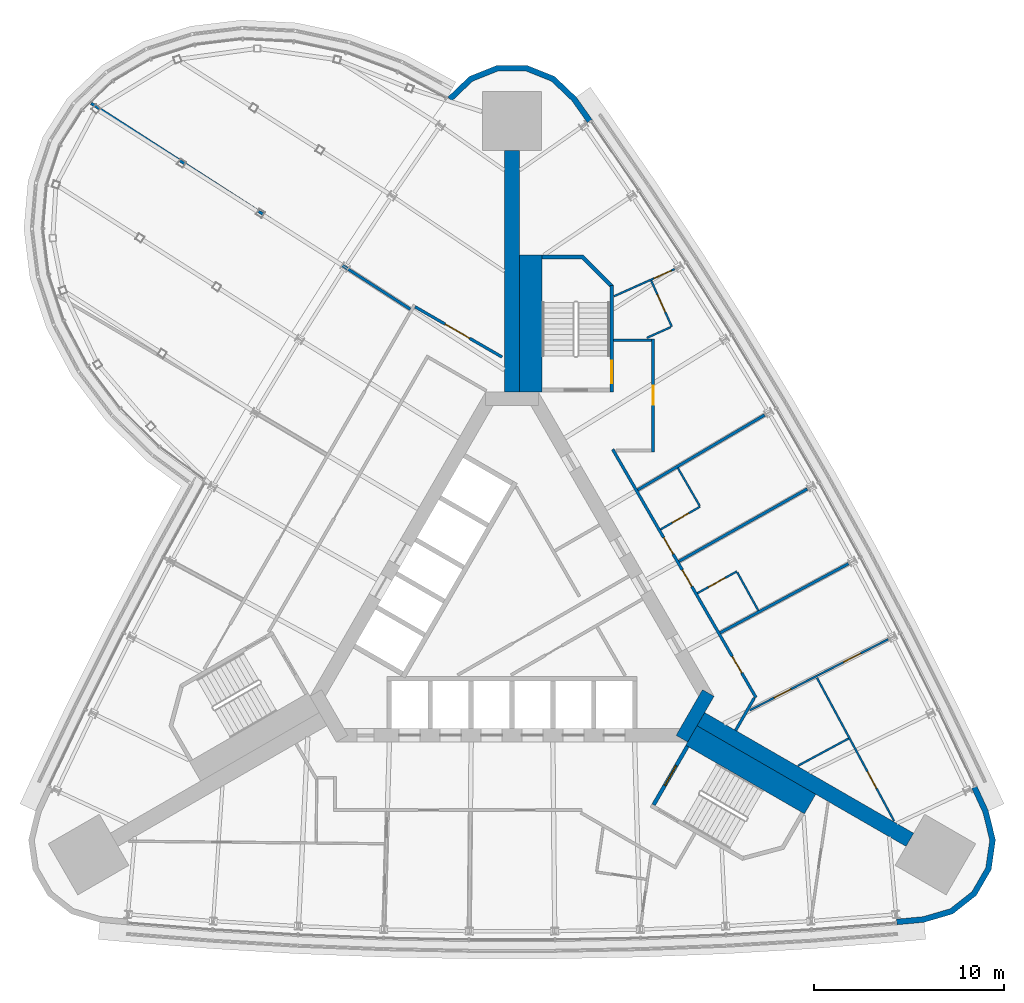
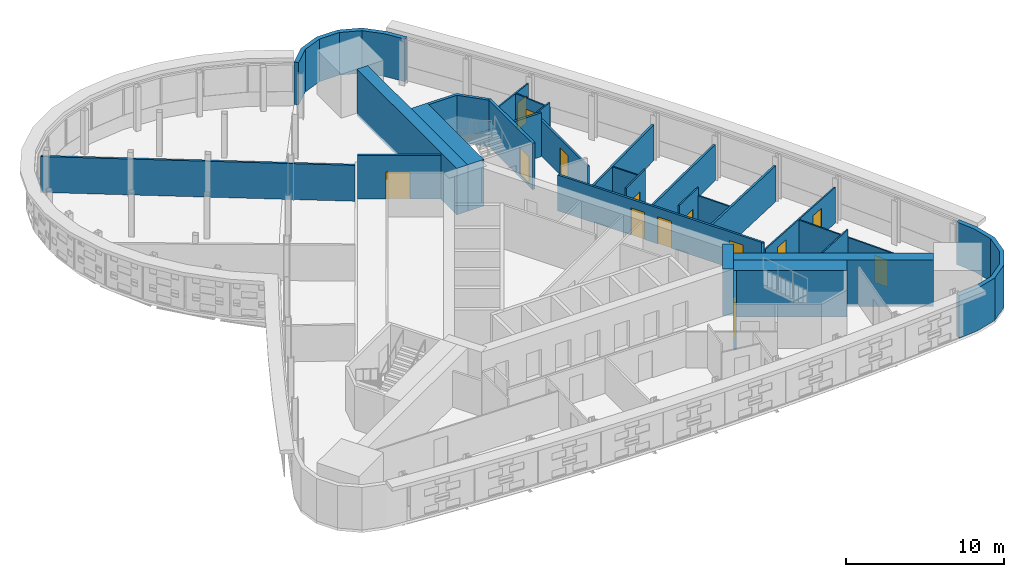
# One storey, part 13 of 17: 29 walls, 14 doors, 14 openings.
"""IFC4 building model written with IfcOpenShell, lengths in metres."""

from ifc_helpers import new_model, si_unit, direction, frame, frame_2d, origin, place, context, subcontext, project, spatial, polyline, rectangle, outline, extrude, material, layer, layer_set, type_object, element, fill, save


model = new_model("IFC4")

# Units and contexts
model_context = context("Model", 3, precision=1e-05, world=origin(), true_north=direction((0.0, 1.0)))
body_context = subcontext(model_context, "Body", "Model", "MODEL_VIEW")
ifc_project = project(units=[si_unit("LENGTHUNIT", "METRE"), si_unit("AREAUNIT", "SQUARE_METRE"), si_unit("VOLUMEUNIT", "CUBIC_METRE"), si_unit("PLANEANGLEUNIT", "RADIAN"), si_unit("MASSUNIT", "GRAM", prefix="KILO")], contexts=[model_context])

# Site, building, storey
site_placement = place(None, origin())
site = spatial("IfcSite", under=ifc_project, at=site_placement, CompositionType="ELEMENT")
building_placement = place(site_placement, origin())
building = spatial("IfcBuilding", under=site, at=building_placement, Name="Noor Cloister Tower", CompositionType="ELEMENT")
storey_placement = place(building_placement, frame((0.0, 0.0, 98.699951171875)))
storey = spatial("IfcBuildingStorey", under=building, at=storey_placement, Name="L25", CompositionType="ELEMENT", Elevation=98.699951171875)

# Walls
ifc_material_1 = material(Name="Concrete C80/95", Category="concrete")
ifc_layer_1 = layer(ifc_material_1, 0.800048828125)
ifc_layer_set_1 = layer_set([ifc_layer_1], Name="Buttress wall 800 C80/95")
wall_type_1 = type_object("IfcWallType", Name="Buttress wall 800 C80/95", PredefinedType="SHEAR", material=ifc_layer_set_1)
wall_1_placement = place(storey_placement, frame((0.0, 11.456298828125, -0.199951171875), z_axis=(0.0, 0.0, 1.0), x_axis=(0.0, 1.0, 0.0)))
element("IfcWall", 1, at=wall_1_placement, inside=storey, type_object=wall_type_1, Name="Buttress wall N L25", PredefinedType="SHEAR", context=body_context, shape_type="SweptSolid", body=[
    extrude(rectangle(XDim=12.677734375, YDim=0.800048828125, at=frame_2d((6.3388671875, 0.0))), origin(), (0.0, 0.0, 1.0), 3.60009765625),
])
wall_2_placement = place(storey_placement, frame((9.921630859375, -5.728271484375, -0.199951171875), z_axis=(0.0, 0.0, 1.0), x_axis=(0.866029086277, -0.499993621681, 0.0)))
element("IfcWall", 2, at=wall_2_placement, inside=storey, type_object=wall_type_1, Name="Buttress wall SE L25", PredefinedType="SHEAR", context=body_context, shape_type="SweptSolid", body=[
    extrude(rectangle(XDim=12.677490234375, YDim=0.800048828125, at=frame_2d((6.3388671875, 0.0))), origin(), (0.0, 0.0, 1.0), 3.60009765625),
])
ifc_material_2 = material(Name="Concrete C80/95", Category="concrete")
ifc_layer_2 = layer(ifc_material_2, 0.699951171875)
ifc_layer_set_2 = layer_set([ifc_layer_2], Name="Core wall 700 C80/95")
wall_type_2 = type_object("IfcWallType", Name="Core wall 700 C80/95", PredefinedType="SHEAR", material=ifc_layer_set_2)
wall_3_placement = place(storey_placement, frame((8.925537109375, -6.753173828125, -0.199951171875), z_axis=(0.0, 0.0, 1.0), x_axis=(0.500042739161, 0.866000726912, 0.0)))
element("IfcWall", 3, at=wall_3_placement, inside=storey, type_object=wall_type_2, Name="Core wall L25 2", PredefinedType="SHEAR", context=body_context, shape_type="SweptSolid", body=[
    extrude(rectangle(XDim=2.771240234375, YDim=0.699951171875, at=frame_2d((1.3857421875, 0.0))), origin(), (0.0, 0.0, 1.0), 3.60009765625),
])

# Wall, openings, doors
ifc_material_3 = material(Name="Gypsum board partition on steel studs, 150 mm", Category="steel")
ifc_layer_3 = layer(ifc_material_3, 0.14990234375)
ifc_layer_set_3 = layer_set([ifc_layer_3], Name="Flat wall 150")
wall_type_3 = type_object("IfcWallType", Name="Flat wall 150", PredefinedType="PARTITIONING", material=ifc_layer_set_3)
wall_4_placement = place(storey_placement, frame((5.28857421875, 8.4462890625, 0.0), z_axis=(0.0, 0.0, 1.0), x_axis=(0.499996620721, -0.866027354803, 0.0)))
wall_4 = element("IfcWall", 4, at=wall_4_placement, inside=storey, type_object=wall_type_3, Name="Flat wall 150 L25 003", PredefinedType="PARTITIONING", context=body_context, shape_type="SweptSolid", body=[
    extrude(rectangle(XDim=15.056640625, YDim=0.14990234375, at=frame_2d((7.5283203125, 0.0))), origin(), (0.0, 0.0, 1.0), 2.778076171875),
])
opening_1_placement = place(wall_4_placement, frame((12.56640625, 0.0, 0.0)))
opening_1 = element("IfcOpeningElement", 5, at=opening_1_placement, cuts=wall_4, Name="Opening L25-005", PredefinedType="OPENING", context=body_context, shape_type="SweptSolid", body=[
    extrude(rectangle(XDim=1.0, YDim=2.10009765625, at=frame_2d((0.5, 1.050048828125))), frame((0.0, 0.0849609375, 0.0), z_axis=(0.0, -1.0, 0.0), x_axis=(1.0, 0.0, 0.0)), (0.0, 0.0, 1.0), 0.169921875),
])
opening_2_placement = place(wall_4_placement, frame((7.315673828125, 0.0, 0.0)))
opening_2 = element("IfcOpeningElement", 6, at=opening_2_placement, cuts=wall_4, Name="Opening L25-006", PredefinedType="OPENING", context=body_context, shape_type="SweptSolid", body=[
    extrude(rectangle(XDim=1.0, YDim=2.10009765625, at=frame_2d((0.5, 1.050048828125))), frame((0.0, 0.0849609375, 0.0), z_axis=(0.0, -1.0, 0.0), x_axis=(1.0, 0.0, 0.0)), (0.0, 0.0, 1.0), 0.169921875),
])
opening_3_placement = place(wall_4_placement, frame((5.357421875, 0.0, 0.0)))
opening_3 = element("IfcOpeningElement", 7, at=opening_3_placement, cuts=wall_4, Name="Opening L25-007", PredefinedType="OPENING", context=body_context, shape_type="SweptSolid", body=[
    extrude(rectangle(XDim=1.0, YDim=2.10009765625, at=frame_2d((0.5, 1.050048828125))), frame((0.0, 0.0849609375, 0.0), z_axis=(0.0, -1.0, 0.0), x_axis=(1.0, 0.0, 0.0)), (0.0, 0.0, 1.0), 0.169921875),
])
ifc_material_4 = material(Name="Timber door leaf with steel frame", Category="steel")
door_type_1 = type_object("IfcDoorType", Name="Flat entrance door 1000 FD60S", OperationType="NOTDEFINED", PredefinedType="DOOR", material=ifc_material_4)
door_1_placement = place(opening_1_placement, origin())
door_1 = element("IfcDoor", 8, at=door_1_placement, inside=storey, type_object=door_type_1, Name="Flat entrance door 1000 L25-005", OperationType="SINGLE_SWING_RIGHT", OverallHeight=2.10009765625, OverallWidth=1.0, PredefinedType="DOOR", context=body_context, shape_type="SweptSolid", body=[
    extrude(rectangle(XDim=1.0, YDim=2.10009765625, at=frame_2d((0.5, 1.050048828125))), frame((0.0, 0.02490234375, 0.0), z_axis=(0.0, -1.0, 0.0), x_axis=(1.0, 0.0, 0.0)), (0.0, 0.0, 1.0), 0.050048828125),
])
fill(opening_1, door_1)
door_2_placement = place(opening_2_placement, origin())
door_2 = element("IfcDoor", 9, at=door_2_placement, inside=storey, type_object=door_type_1, Name="Flat entrance door 1000 L25-006", OperationType="SINGLE_SWING_RIGHT", OverallHeight=2.10009765625, OverallWidth=1.0, PredefinedType="DOOR", context=body_context, shape_type="SweptSolid", body=[
    extrude(rectangle(XDim=1.0, YDim=2.10009765625, at=frame_2d((0.5, 1.050048828125))), frame((0.0, 0.02490234375, 0.0), z_axis=(0.0, -1.0, 0.0), x_axis=(1.0, 0.0, 0.0)), (0.0, 0.0, 1.0), 0.050048828125),
])
fill(opening_2, door_2)
door_3_placement = place(opening_3_placement, origin())
door_3 = element("IfcDoor", 10, at=door_3_placement, inside=storey, type_object=door_type_1, Name="Flat entrance door 1000 L25-007", OperationType="SINGLE_SWING_LEFT", OverallHeight=2.10009765625, OverallWidth=1.0, PredefinedType="DOOR", context=body_context, shape_type="SweptSolid", body=[
    extrude(rectangle(XDim=1.0, YDim=2.10009765625, at=frame_2d((0.5, 1.050048828125))), frame((0.0, 0.02490234375, 0.0), z_axis=(0.0, -1.0, 0.0), x_axis=(1.0, 0.0, 0.0)), (0.0, 0.0, 1.0), 0.050048828125),
])
fill(opening_3, door_3)

# Wall, opening, door
wall_5_placement = place(storey_placement, frame((7.41064453125, 14.25634765625, 0.0), z_axis=(0.0, 0.0, 1.0), x_axis=(0.0, -1.0, 0.0)))
wall_5 = element("IfcWall", 11, at=wall_5_placement, inside=storey, type_object=wall_type_3, Name="Flat wall 150 L25 006", PredefinedType="PARTITIONING", context=body_context, shape_type="SweptSolid", body=[
    extrude(rectangle(XDim=5.949951171875, YDim=0.14990234375, at=frame_2d((2.97509765625, 0.0))), origin(), (0.0, 0.0, 1.0), 2.778076171875),
])
opening_4_placement = place(wall_5_placement, frame((2.47509765625, 0.0, 0.0)))
opening_4 = element("IfcOpeningElement", 12, at=opening_4_placement, cuts=wall_5, Name="Opening L25-010", PredefinedType="OPENING", context=body_context, shape_type="SweptSolid", body=[
    extrude(rectangle(XDim=1.0, YDim=2.10009765625, at=frame_2d((0.5, 1.050048828125))), frame((0.0, 0.0849609375, 0.0), z_axis=(0.0, -1.0, 0.0), x_axis=(1.0, 0.0, 0.0)), (0.0, 0.0, 1.0), 0.169921875),
])
door_4_placement = place(opening_4_placement, origin())
door_4 = element("IfcDoor", 13, at=door_4_placement, inside=storey, type_object=door_type_1, Name="Flat entrance door 1000 L25-010", OperationType="SINGLE_SWING_RIGHT", OverallHeight=2.10009765625, OverallWidth=1.0, PredefinedType="DOOR", context=body_context, shape_type="SweptSolid", body=[
    extrude(rectangle(XDim=1.0, YDim=2.10009765625, at=frame_2d((0.5, 1.050048828125))), frame((0.0, 0.02490234375, 0.0), z_axis=(0.0, -1.0, 0.0), x_axis=(1.0, 0.0, 0.0)), (0.0, 0.0, 1.0), 0.050048828125),
])
fill(opening_4, door_4)

wall_6_placement = place(storey_placement, frame((-5.093017578125, 15.93505859375, 0.0), z_axis=(0.0, 0.0, 1.0), x_axis=(0.866033195618, -0.499986503906, 0.0)))
wall_6 = element("IfcWall", 14, at=wall_6_placement, inside=storey, type_object=wall_type_3, Name="Flat wall 150 L25 007", PredefinedType="PARTITIONING", context=body_context, shape_type="SweptSolid", body=[
    extrude(rectangle(XDim=5.282470703125, YDim=0.14990234375, at=frame_2d((2.64111328125, 0.0))), origin(), (0.0, 0.0, 1.0), 3.400146484375),
])
opening_5_placement = place(wall_6_placement, frame((1.816162109375, 0.0, 0.0)))
opening_5 = element("IfcOpeningElement", 15, at=opening_5_placement, cuts=wall_6, Name="Opening L25-011", PredefinedType="OPENING", context=body_context, shape_type="SweptSolid", body=[
    extrude(rectangle(XDim=1.5, YDim=2.10009765625, at=frame_2d((0.75, 1.050048828125))), frame((0.0, 0.0849609375, 0.0), z_axis=(0.0, -1.0, 0.0), x_axis=(1.0, 0.0, 0.0)), (0.0, 0.0, 1.0), 0.169921875),
])
ifc_material_5 = material(Name="Timber door leaf with steel frame", Category="steel")
door_type_2 = type_object("IfcDoorType", Name="Double door 1500 FD60", OperationType="NOTDEFINED", PredefinedType="DOOR", material=ifc_material_5)
door_5_placement = place(opening_5_placement, origin())
door_5 = element("IfcDoor", 16, at=door_5_placement, inside=storey, type_object=door_type_2, Name="Double door 1500 L25-011", OperationType="DOUBLE_DOOR_SINGLE_SWING", OverallHeight=2.10009765625, OverallWidth=1.5, PredefinedType="DOOR", context=body_context, shape_type="SweptSolid", body=[
    extrude(rectangle(XDim=1.5, YDim=2.10009765625, at=frame_2d((0.75, 1.050048828125))), frame((0.0, 0.02490234375, 0.0), z_axis=(0.0, -1.0, 0.0), x_axis=(1.0, 0.0, 0.0)), (0.0, 0.0, 1.0), 0.050048828125),
])
fill(opening_5, door_5)

# Walls
wall_7_placement = place(storey_placement, frame((5.335693359375, 14.181396484375, 0.0), z_axis=(0.0, 0.0, 1.0), x_axis=(1.0, 0.0, 0.0)))
element("IfcWall", 17, at=wall_7_placement, inside=storey, type_object=wall_type_3, Name="Flat wall 150 L25 009", PredefinedType="PARTITIONING", context=body_context, shape_type="SweptSolid", body=[
    extrude(rectangle(XDim=2.0, YDim=0.14990234375, at=frame_2d((1.0, 0.0))), origin(), (0.0, 0.0, 1.0), 3.400146484375),
])
wall_8_placement = place(storey_placement, frame((11.745361328125, -6.3193359375, 0.0), z_axis=(0.0, 0.0, 1.0), x_axis=(0.500012721296, 0.866018059016, 0.0)))
element("IfcWall", 18, at=wall_8_placement, inside=storey, type_object=wall_type_3, Name="Flat wall 150 L25 012", PredefinedType="PARTITIONING", context=body_context, shape_type="SweptSolid", body=[
    extrude(rectangle(XDim=1.9658203125, YDim=0.14990234375, at=frame_2d((0.98291015625, 0.0))), origin(), (0.0, 0.0, 1.0), 2.778076171875),
])
wall_9_placement = place(storey_placement, frame((-22.1103515625, 26.62109375, 0.0), z_axis=(0.0, 0.0, 1.0), x_axis=(0.840382773847, -0.541993351823, 0.0)))
element("IfcWall", 19, at=wall_9_placement, inside=storey, type_object=wall_type_3, Name="Flat wall 150 L25 016", PredefinedType="PARTITIONING", context=body_context, shape_type="SweptSolid", body=[
    extrude(rectangle(XDim=19.950927734375, YDim=0.14990234375, at=frame_2d((9.9755859375, 0.0))), origin(), (0.0, 0.0, 1.0), 2.778076171875),
])
wall_10_placement = place(storey_placement, frame((15.51123046875, 6.366455078125, 0.0), z_axis=(0.0, 0.0, 1.0), x_axis=(-0.870902291502, -0.491456202175, 0.0)))
element("IfcWall", 20, at=wall_10_placement, inside=storey, type_object=wall_type_3, Name="Flat wall 150 L25 018", PredefinedType="PARTITIONING", context=body_context, shape_type="SweptSolid", body=[
    extrude(rectangle(XDim=7.73779296875, YDim=0.14990234375, at=frame_2d((3.868896484375, 0.0))), origin(), (0.0, 0.0, 1.0), 2.778076171875),
])
wall_11_placement = place(storey_placement, frame((13.269287109375, 10.25, 0.0), z_axis=(0.0, 0.0, 1.0), x_axis=(-0.861057776749, -0.508507133775, 0.0)))
element("IfcWall", 21, at=wall_11_placement, inside=storey, type_object=wall_type_3, Name="Flat wall 150 L25 019", PredefinedType="PARTITIONING", context=body_context, shape_type="SweptSolid", body=[
    extrude(rectangle(XDim=7.738037109375, YDim=0.14990234375, at=frame_2d((3.869140625, 0.0))), origin(), (0.0, 0.0, 1.0), 2.778076171875),
])
wall_12_placement = place(storey_placement, frame((17.676513671875, 2.439697265625, 0.0), z_axis=(0.0, 0.0, 1.0), x_axis=(-0.880400392736, -0.47423111293, 0.0)))
element("IfcWall", 22, at=wall_12_placement, inside=storey, type_object=wall_type_3, Name="Flat wall 150 L25 020", PredefinedType="PARTITIONING", context=body_context, shape_type="SweptSolid", body=[
    extrude(rectangle(XDim=7.651123046875, YDim=0.14990234375, at=frame_2d((3.82568359375, 0.0))), origin(), (0.0, 0.0, 1.0), 2.778076171875),
])
ifc_material_6 = material(Name="Limestone", Category="masonry")
ifc_layer_4 = layer(ifc_material_6, 0.300048828125)
ifc_layer_set_4 = layer_set([ifc_layer_4], Name="Limestone cladding 300")
wall_type_4 = type_object("IfcWallType", Name="Limestone cladding 300", PredefinedType="NOTDEFINED", material=ifc_layer_set_4)
wall_13_placement = place(storey_placement, origin())
element("IfcWall", 23, at=wall_13_placement, inside=storey, type_object=wall_type_4, Name="Limestone pier cladding L25 2.1", PredefinedType="NOTDEFINED", context=body_context, shape_type="SweptSolid", body=[
    extrude(outline(polyline([(20.2236328125, -16.53125), (21.65380859375, -16.399658203125), (23.1591796875, -15.958251953125), (24.392333984375, -14.988525390625), (25.1767578125, -13.630126953125), (25.399658203125, -12.077392578125), (25.029541015625, -10.552978515625), (24.42822265625, -9.24853515625), (24.15576171875, -9.3740234375), (24.744873046875, -10.652099609375), (25.094482421875, -12.092041015625), (24.887939453125, -13.5302734375), (24.161376953125, -14.78857421875), (23.019287109375, -15.6865234375), (21.597412109375, -16.103515625), (20.196044921875, -16.232421875), (20.2236328125, -16.53125)])), origin(), (0.0, 0.0, 1.0), 3.300048828125),
])
wall_14_placement = place(storey_placement, origin())
element("IfcWall", 24, at=wall_14_placement, inside=storey, type_object=wall_type_4, Name="Limestone pier cladding L25 3.1", PredefinedType="NOTDEFINED", context=body_context, shape_type="SweptSolid", body=[
    extrude(outline(polyline([(4.204833984375, 25.77978515625), (3.37548828125, 26.95263671875), (2.240478515625, 28.035400390625), (0.784423828125, 28.61865234375), (-0.784423828125, 28.61865234375), (-2.240478515625, 28.035400390625), (-3.37548828125, 26.95263671875), (-3.16845703125, 26.735595703125), (-2.075439453125, 27.778564453125), (-0.7265625, 28.31884765625), (0.7265625, 28.31884765625), (2.075439453125, 27.778564453125), (3.1474609375, 26.755615234375), (3.959716796875, 25.6064453125), (4.204833984375, 25.77978515625)])), origin(), (0.0, 0.0, 1.0), 3.300048828125),
])

# Wall, opening, door
ifc_material_7 = material(Name="Gypsum board partition on steel studs, 100 mm", Category="steel")
ifc_layer_5 = layer(ifc_material_7, 0.10009765625)
ifc_layer_set_5 = layer_set([ifc_layer_5], Name="Partition 100")
wall_type_5 = type_object("IfcWallType", Name="Partition 100", PredefinedType="PARTITIONING", material=ifc_layer_set_5)
wall_15_placement = place(storey_placement, frame((20.072509765625, -11.077880859375, 0.0), z_axis=(0.0, 0.0, 1.0), x_axis=(-0.474207115322, 0.880413318719, 0.0)))
wall_15 = element("IfcWall", 25, at=wall_15_placement, inside=storey, type_object=wall_type_5, Name="Partition 100 L25 024", PredefinedType="PARTITIONING", context=body_context, shape_type="SweptSolid", body=[
    extrude(rectangle(XDim=8.54833984375, YDim=0.10009765625, at=frame_2d((4.274169921875, 0.0))), origin(), (0.0, 0.0, 1.0), 2.778076171875),
])
opening_6_placement = place(wall_15_placement, frame((1.94921875, 0.0, 0.0)))
opening_6 = element("IfcOpeningElement", 26, at=opening_6_placement, cuts=wall_15, Name="Opening L25-013", PredefinedType="OPENING", context=body_context, shape_type="SweptSolid", body=[
    extrude(rectangle(XDim=1.0, YDim=2.10009765625, at=frame_2d((0.5, 1.050048828125))), frame((0.0, 0.06005859375, 0.0), z_axis=(0.0, -1.0, 0.0), x_axis=(1.0, 0.0, 0.0)), (0.0, 0.0, 1.0), 0.1201171875),
])
ifc_material_8 = material(Name="Timber door leaf with steel frame", Category="steel")
door_type_3 = type_object("IfcDoorType", Name="Interior door 1000", OperationType="NOTDEFINED", PredefinedType="DOOR", material=ifc_material_8)
door_6_placement = place(opening_6_placement, origin())
door_6 = element("IfcDoor", 27, at=door_6_placement, inside=storey, type_object=door_type_3, Name="Interior door 1000 L25-013", OperationType="SINGLE_SWING_LEFT", OverallHeight=2.10009765625, OverallWidth=1.0, PredefinedType="DOOR", context=body_context, shape_type="SweptSolid", body=[
    extrude(rectangle(XDim=1.0, YDim=2.10009765625, at=frame_2d((0.5, 1.050048828125))), frame((0.0, 0.02490234375, 0.0), z_axis=(0.0, -1.0, 0.0), x_axis=(1.0, 0.0, 0.0)), (0.0, 0.0, 1.0), 0.050048828125),
])
fill(opening_6, door_6)

# Wall, openings, doors
wall_16_placement = place(storey_placement, frame((19.763916015625, -1.52880859375, 0.0), z_axis=(0.0, 0.0, 1.0), x_axis=(-0.889562755555, -0.456812985728, 0.0)))
wall_16 = element("IfcWall", 28, at=wall_16_placement, inside=storey, type_object=wall_type_5, Name="Partition 100 L25 025", PredefinedType="PARTITIONING", context=body_context, shape_type="SweptSolid", body=[
    extrude(rectangle(XDim=8.177490234375, YDim=0.10009765625, at=frame_2d((4.0888671875, 0.0))), origin(), (0.0, 0.0, 1.0), 2.778076171875),
])
opening_7_placement = place(wall_16_placement, frame((5.741943359375, 0.0, 0.0)))
opening_7 = element("IfcOpeningElement", 29, at=opening_7_placement, cuts=wall_16, Name="Opening L25-014", PredefinedType="OPENING", context=body_context, shape_type="SweptSolid", body=[
    extrude(rectangle(XDim=1.0, YDim=2.10009765625, at=frame_2d((0.5, 1.050048828125))), frame((0.0, 0.06005859375, 0.0), z_axis=(0.0, -1.0, 0.0), x_axis=(1.0, 0.0, 0.0)), (0.0, 0.0, 1.0), 0.1201171875),
])
opening_8_placement = place(wall_16_placement, frame((1.634521484375, 0.0, 0.0)))
opening_8 = element("IfcOpeningElement", 30, at=opening_8_placement, cuts=wall_16, Name="Opening L25-015", PredefinedType="OPENING", context=body_context, shape_type="SweptSolid", body=[
    extrude(rectangle(XDim=1.0, YDim=2.10009765625, at=frame_2d((0.5, 1.050048828125))), frame((0.0, 0.06005859375, 0.0), z_axis=(0.0, -1.0, 0.0), x_axis=(1.0, 0.0, 0.0)), (0.0, 0.0, 1.0), 0.1201171875),
])
door_7_placement = place(opening_7_placement, origin())
door_7 = element("IfcDoor", 31, at=door_7_placement, inside=storey, type_object=door_type_3, Name="Interior door 1000 L25-014", OperationType="SINGLE_SWING_RIGHT", OverallHeight=2.10009765625, OverallWidth=1.0, PredefinedType="DOOR", context=body_context, shape_type="SweptSolid", body=[
    extrude(rectangle(XDim=1.0, YDim=2.10009765625, at=frame_2d((0.5, 1.050048828125))), frame((0.0, 0.02490234375, 0.0), z_axis=(0.0, -1.0, 0.0), x_axis=(1.0, 0.0, 0.0)), (0.0, 0.0, 1.0), 0.050048828125),
])
fill(opening_7, door_7)
door_8_placement = place(opening_8_placement, origin())
door_8 = element("IfcDoor", 32, at=door_8_placement, inside=storey, type_object=door_type_3, Name="Interior door 1000 L25-015", OperationType="SINGLE_SWING_LEFT", OverallHeight=2.10009765625, OverallWidth=1.0, PredefinedType="DOOR", context=body_context, shape_type="SweptSolid", body=[
    extrude(rectangle(XDim=1.0, YDim=2.10009765625, at=frame_2d((0.5, 1.050048828125))), frame((0.0, 0.02490234375, 0.0), z_axis=(0.0, -1.0, 0.0), x_axis=(1.0, 0.0, 0.0)), (0.0, 0.0, 1.0), 0.050048828125),
])
fill(opening_8, door_8)

# Wall, opening, door
wall_17_placement = place(storey_placement, frame((5.356201171875, 16.4873046875, 0.0), z_axis=(0.0, 0.0, 1.0), x_axis=(0.912565214453, 0.408931203713, 0.0)))
wall_17 = element("IfcWall", 33, at=wall_17_placement, inside=storey, type_object=wall_type_5, Name="Partition 100 L25 029", PredefinedType="PARTITIONING", context=body_context, shape_type="SweptSolid", body=[
    extrude(rectangle(XDim=3.4853515625, YDim=0.10009765625, at=frame_2d((1.74267578125, 0.0))), origin(), (0.0, 0.0, 1.0), 2.97412109375),
])
opening_9_placement = place(wall_17_placement, frame((2.296630859375, 0.0, 0.0)))
opening_9 = element("IfcOpeningElement", 34, at=opening_9_placement, cuts=wall_17, Name="Opening L25-020", PredefinedType="OPENING", context=body_context, shape_type="SweptSolid", body=[
    extrude(rectangle(XDim=1.0, YDim=2.10009765625, at=frame_2d((0.5, 1.050048828125))), frame((0.0, 0.06005859375, 0.0), z_axis=(0.0, -1.0, 0.0), x_axis=(1.0, 0.0, 0.0)), (0.0, 0.0, 1.0), 0.1201171875),
])
door_9_placement = place(opening_9_placement, origin())
door_9 = element("IfcDoor", 35, at=door_9_placement, inside=storey, type_object=door_type_3, Name="Interior door 1000 L25-020", OperationType="SINGLE_SWING_RIGHT", OverallHeight=2.10009765625, OverallWidth=1.0, PredefinedType="DOOR", context=body_context, shape_type="SweptSolid", body=[
    extrude(rectangle(XDim=1.0, YDim=2.10009765625, at=frame_2d((0.5, 1.050048828125))), frame((0.0, 0.02490234375, 0.0), z_axis=(0.0, -1.0, 0.0), x_axis=(1.0, 0.0, 0.0)), (0.0, 0.0, 1.0), 0.050048828125),
])
fill(opening_9, door_9)

# Wall
wall_18_placement = place(storey_placement, frame((17.681884765625, -6.7451171875, 0.0), z_axis=(0.0, 0.0, 1.0), x_axis=(-0.880419251007, -0.474196101267, 0.0)))
element("IfcWall", 36, at=wall_18_placement, inside=storey, type_object=wall_type_5, Name="Partition 100 L25 031", PredefinedType="PARTITIONING", context=body_context, shape_type="SweptSolid", body=[
    extrude(rectangle(XDim=3.024169921875, YDim=0.10009765625, at=frame_2d((1.51220703125, 0.0))), origin(), (0.0, 0.0, 1.0), 3.400146484375),
])

# Wall, opening, door
wall_19_placement = place(storey_placement, frame((8.39501953125, 14.890380859375, 0.0), z_axis=(0.0, 0.0, 1.0), x_axis=(-0.408965961138, 0.912549638448, 0.0)))
wall_19 = element("IfcWall", 37, at=wall_19_placement, inside=storey, type_object=wall_type_5, Name="Partition 100 L25 033", PredefinedType="PARTITIONING", context=body_context, shape_type="SweptSolid", body=[
    extrude(rectangle(XDim=2.64990234375, YDim=0.10009765625, at=frame_2d((1.324951171875, 0.0))), origin(), (0.0, 0.0, 1.0), 2.97412109375),
])
opening_10_placement = place(wall_19_placement, frame((0.85009765625, 0.0, 0.0)))
opening_10 = element("IfcOpeningElement", 38, at=opening_10_placement, cuts=wall_19, Name="Opening L25-022", PredefinedType="OPENING", context=body_context, shape_type="SweptSolid", body=[
    extrude(rectangle(XDim=1.0, YDim=2.10009765625, at=frame_2d((0.5, 1.050048828125))), frame((0.0, 0.06005859375, 0.0), z_axis=(0.0, -1.0, 0.0), x_axis=(1.0, 0.0, 0.0)), (0.0, 0.0, 1.0), 0.1201171875),
])
door_10_placement = place(opening_10_placement, origin())
door_10 = element("IfcDoor", 39, at=door_10_placement, inside=storey, type_object=door_type_3, Name="Interior door 1000 L25-022", OperationType="SINGLE_SWING_RIGHT", OverallHeight=2.10009765625, OverallWidth=1.0, PredefinedType="DOOR", context=body_context, shape_type="SweptSolid", body=[
    extrude(rectangle(XDim=1.0, YDim=2.10009765625, at=frame_2d((0.5, 1.050048828125))), frame((0.0, 0.02490234375, 0.0), z_axis=(0.0, -1.0, 0.0), x_axis=(1.0, 0.0, 0.0)), (0.0, 0.0, 1.0), 0.050048828125),
])
fill(opening_10, door_10)

wall_20_placement = place(storey_placement, frame((7.80517578125, 4.2373046875, 0.0), z_axis=(0.0, 0.0, 1.0), x_axis=(0.866006032174, 0.500033551112, 0.0)))
wall_20 = element("IfcWall", 40, at=wall_20_placement, inside=storey, type_object=wall_type_5, Name="Partition 100 L25 034", PredefinedType="PARTITIONING", context=body_context, shape_type="SweptSolid", body=[
    extrude(rectangle(XDim=2.400146484375, YDim=0.10009765625, at=frame_2d((1.2001953125, 0.0))), origin(), (0.0, 0.0, 1.0), 3.400146484375),
])
opening_11_placement = place(wall_20_placement, frame((0.699951171875, 0.0, 0.0)))
opening_11 = element("IfcOpeningElement", 41, at=opening_11_placement, cuts=wall_20, Name="Opening L25-023", PredefinedType="OPENING", context=body_context, shape_type="SweptSolid", body=[
    extrude(rectangle(XDim=1.0, YDim=2.10009765625, at=frame_2d((0.5, 1.050048828125))), frame((0.0, 0.06005859375, 0.0), z_axis=(0.0, -1.0, 0.0), x_axis=(1.0, 0.0, 0.0)), (0.0, 0.0, 1.0), 0.1201171875),
])
door_11_placement = place(opening_11_placement, origin())
door_11 = element("IfcDoor", 42, at=door_11_placement, inside=storey, type_object=door_type_3, Name="Interior door 1000 L25-023", OperationType="SINGLE_SWING_LEFT", OverallHeight=2.10009765625, OverallWidth=1.0, PredefinedType="DOOR", context=body_context, shape_type="SweptSolid", body=[
    extrude(rectangle(XDim=1.0, YDim=2.10009765625, at=frame_2d((0.5, 1.050048828125))), frame((0.0, 0.02490234375, 0.0), z_axis=(0.0, -1.0, 0.0), x_axis=(1.0, 0.0, 0.0)), (0.0, 0.0, 1.0), 0.050048828125),
])
fill(opening_11, door_11)

wall_21_placement = place(storey_placement, frame((11.80810546875, 2.0302734375, 0.0), z_axis=(0.0, 0.0, 1.0), x_axis=(-0.875678647011, -0.482894302275, 0.0)))
wall_21 = element("IfcWall", 43, at=wall_21_placement, inside=storey, type_object=wall_type_5, Name="Partition 100 L25 036", PredefinedType="PARTITIONING", context=body_context, shape_type="SweptSolid", body=[
    extrude(rectangle(XDim=2.362548828125, YDim=0.10009765625, at=frame_2d((1.18115234375, 0.0))), origin(), (0.0, 0.0, 1.0), 3.400146484375),
])
opening_12_placement = place(wall_21_placement, frame((0.699951171875, 0.0, 0.0)))
opening_12 = element("IfcOpeningElement", 44, at=opening_12_placement, cuts=wall_21, Name="Opening L25-024", PredefinedType="OPENING", context=body_context, shape_type="SweptSolid", body=[
    extrude(rectangle(XDim=1.0, YDim=2.10009765625, at=frame_2d((0.5, 1.050048828125))), frame((0.0, 0.06005859375, 0.0), z_axis=(0.0, -1.0, 0.0), x_axis=(1.0, 0.0, 0.0)), (0.0, 0.0, 1.0), 0.1201171875),
])
door_12_placement = place(opening_12_placement, origin())
door_12 = element("IfcDoor", 45, at=door_12_placement, inside=storey, type_object=door_type_3, Name="Interior door 1000 L25-024", OperationType="SINGLE_SWING_RIGHT", OverallHeight=2.10009765625, OverallWidth=1.0, PredefinedType="DOOR", context=body_context, shape_type="SweptSolid", body=[
    extrude(rectangle(XDim=1.0, YDim=2.10009765625, at=frame_2d((0.5, 1.050048828125))), frame((0.0, 0.02490234375, 0.0), z_axis=(0.0, -1.0, 0.0), x_axis=(1.0, 0.0, 0.0)), (0.0, 0.0, 1.0), 0.050048828125),
])
fill(opening_12, door_12)

# Walls
wall_22_placement = place(storey_placement, frame((12.94140625, -0.025146484375, 0.0), z_axis=(0.0, 0.0, 1.0), x_axis=(-0.482860975889, 0.875697024069, 0.0)))
element("IfcWall", 46, at=wall_22_placement, inside=storey, type_object=wall_type_5, Name="Partition 100 L25 037", PredefinedType="PARTITIONING", context=body_context, shape_type="SweptSolid", body=[
    extrude(rectangle(XDim=2.297119140625, YDim=0.10009765625, at=frame_2d((1.1484375, 0.0))), origin(), (0.0, 0.0, 1.0), 2.778076171875),
])
wall_23_placement = place(storey_placement, frame((8.710205078125, 7.469970703125, 0.0), z_axis=(0.0, 0.0, 1.0), x_axis=(0.499980071345, -0.866036909293, 0.0)))
element("IfcWall", 47, at=wall_23_placement, inside=storey, type_object=wall_type_5, Name="Partition 100 L25 038", PredefinedType="PARTITIONING", context=body_context, shape_type="SweptSolid", body=[
    extrude(rectangle(XDim=2.296875, YDim=0.10009765625, at=frame_2d((1.1484375, 0.0))), origin(), (0.0, 0.0, 1.0), 2.778076171875),
])
wall_24_placement = place(storey_placement, frame((7.082275390625, 14.302001953125, 0.0), z_axis=(0.0, 0.0, 1.0), x_axis=(0.912545530992, 0.408975126221, 0.0)))
element("IfcWall", 48, at=wall_24_placement, inside=storey, type_object=wall_type_5, Name="Partition 100 L25 039", PredefinedType="PARTITIONING", context=body_context, shape_type="SweptSolid", body=[
    extrude(rectangle(XDim=1.388427734375, YDim=0.10009765625, at=frame_2d((0.6943359375, 0.0))), origin(), (0.0, 0.0, 1.0), 3.400146484375),
])
ifc_material_9 = material(Name="Concrete C80/95", Category="concrete")
ifc_layer_6 = layer(ifc_material_9, 1.18603515625)
ifc_layer_set_6 = layer_set([ifc_layer_6], Name="Stair enclosure wall 1186 C80/95")
wall_type_6 = type_object("IfcWallType", Name="Stair enclosure wall 1186 C80/95", PredefinedType="SHEAR", material=ifc_layer_set_6)
wall_25_placement = place(storey_placement, frame((0.992919921875, 11.456298828125, -0.199951171875), z_axis=(0.0, 0.0, 1.0), x_axis=(0.0, 1.0, 0.0)))
element("IfcWall", 49, at=wall_25_placement, inside=storey, type_object=wall_type_6, Name="Stair enclosure wall ST1 L25 riser side", PredefinedType="SHEAR", context=body_context, shape_type="SweptSolid", body=[
    extrude(rectangle(XDim=7.2001953125, YDim=1.185546875, at=frame_2d((3.60009765625, 0.0))), origin(), (0.0, 0.0, 1.0), 3.60009765625),
])
wall_26_placement = place(storey_placement, frame((9.425048828125, -6.587890625, -0.199951171875), z_axis=(0.0, 0.0, 1.0), x_axis=(0.866018442252, -0.500012057535, 0.0)))
element("IfcWall", 50, at=wall_26_placement, inside=storey, type_object=wall_type_6, Name="Stair enclosure wall ST3 L25 riser side", PredefinedType="SHEAR", context=body_context, shape_type="SweptSolid", body=[
    extrude(rectangle(XDim=7.199951171875, YDim=1.185546875, at=frame_2d((3.60009765625, 0.0))), origin(), (0.0, 0.0, 1.0), 3.60009765625),
])

# Wall, opening, door
ifc_material_10 = material(Name="Concrete C80/95", Category="concrete")
ifc_layer_7 = layer(ifc_material_10, 0.199951171875)
ifc_layer_set_7 = layer_set([ifc_layer_7], Name="Stair enclosure wall 200 C80/95")
wall_type_7 = type_object("IfcWallType", Name="Stair enclosure wall 200 C80/95", PredefinedType="SHEAR", material=ifc_layer_set_7)
wall_27_placement = place(storey_placement, frame((5.235595703125, 11.456298828125, -0.199951171875), z_axis=(0.0, 0.0, 1.0), x_axis=(0.0, 1.0, 0.0)))
wall_27 = element("IfcWall", 51, at=wall_27_placement, inside=storey, type_object=wall_type_7, Name="Stair enclosure wall ST1 L25 outer side", PredefinedType="SHEAR", context=body_context, shape_type="SweptSolid", body=[
    extrude(rectangle(XDim=5.60009765625, YDim=0.199951171875, at=frame_2d((2.800048828125, 0.0))), origin(), (0.0, 0.0, 1.0), 3.60009765625),
])
opening_13_placement = place(wall_27_placement, frame((0.449951171875, 0.0, 0.199951171875)))
opening_13 = element("IfcOpeningElement", 52, at=opening_13_placement, cuts=wall_27, Name="Opening L25-ST1C", PredefinedType="OPENING", context=body_context, shape_type="SweptSolid", body=[
    extrude(rectangle(XDim=1.199951171875, YDim=2.10009765625, at=frame_2d((0.60009765625, 1.050048828125))), frame((0.0, 0.10986328125, 0.0), z_axis=(0.0, -1.0, 0.0), x_axis=(1.0, 0.0, 0.0)), (0.0, 0.0, 1.0), 0.219970703125),
])
ifc_material_11 = material(Name="Steel", Category="steel")
door_type_4 = type_object("IfcDoorType", Name="Stair door 1200 x 2100 FD120", OperationType="SINGLE_SWING_LEFT", PredefinedType="DOOR", material=ifc_material_11)
door_13_placement = place(opening_13_placement, origin())
door_13 = element("IfcDoor", 53, at=door_13_placement, inside=storey, type_object=door_type_4, Name="Stair door ST1 L25", OperationType="SINGLE_SWING_LEFT", OverallHeight=2.10009765625, OverallWidth=1.199951171875, PredefinedType="DOOR", context=body_context, shape_type="SweptSolid", body=[
    extrude(rectangle(XDim=1.199951171875, YDim=2.10009765625, at=frame_2d((0.60009765625, 1.050048828125))), frame((0.0, 0.02490234375, 0.0), z_axis=(0.0, -1.0, 0.0), x_axis=(1.0, 0.0, 0.0)), (0.0, 0.0, 1.0), 0.050048828125),
])
fill(opening_13, door_13)

wall_28_placement = place(storey_placement, frame((7.440185546875, -10.225830078125, -0.199951171875), z_axis=(0.0, 0.0, 1.0), x_axis=(0.500022077904, 0.866012656725, 0.0)))
wall_28 = element("IfcWall", 54, at=wall_28_placement, inside=storey, type_object=wall_type_7, Name="Stair enclosure wall ST3 L25 near end", PredefinedType="SHEAR", context=body_context, shape_type="SweptSolid", body=[
    extrude(rectangle(XDim=3.550048828125, YDim=0.199951171875, at=frame_2d((1.77490234375, 0.0))), origin(), (0.0, 0.0, 1.0), 3.60009765625),
])
opening_14_placement = place(wall_28_placement, frame((1.175048828125, 0.0, 0.199951171875)))
opening_14 = element("IfcOpeningElement", 55, at=opening_14_placement, cuts=wall_28, Name="Opening L25-ST3L", PredefinedType="OPENING", context=body_context, shape_type="SweptSolid", body=[
    extrude(rectangle(XDim=1.199951171875, YDim=2.10009765625, at=frame_2d((0.60009765625, 1.050048828125))), frame((0.0, 0.10986328125, 0.0), z_axis=(0.0, -1.0, 0.0), x_axis=(1.0, 0.0, 0.0)), (0.0, 0.0, 1.0), 0.219970703125),
])
door_14_placement = place(opening_14_placement, origin())
door_14 = element("IfcDoor", 56, at=door_14_placement, inside=storey, type_object=door_type_4, Name="Stair door ST3 L25", OperationType="SINGLE_SWING_RIGHT", OverallHeight=2.10009765625, OverallWidth=1.199951171875, PredefinedType="DOOR", context=body_context, shape_type="SweptSolid", body=[
    extrude(rectangle(XDim=1.199951171875, YDim=2.10009765625, at=frame_2d((0.60009765625, 1.050048828125))), frame((0.0, 0.02490234375, 0.0), z_axis=(0.0, -1.0, 0.0), x_axis=(1.0, 0.0, 0.0)), (0.0, 0.0, 1.0), 0.050048828125),
])
fill(opening_14, door_14)

# Wall
ifc_material_12 = material(Name="Concrete C80/95", Category="concrete")
wall_type_8 = type_object("IfcWallType", Name="Stair far end wall C80/95", PredefinedType="SHEAR", material=ifc_material_12)
wall_29_placement = place(storey_placement, frame((0.0, 0.0, -0.199951171875)))
element("IfcWall", 57, at=wall_29_placement, inside=storey, type_object=wall_type_8, Name="Stair enclosure wall ST1 L25 far end", PredefinedType="SHEAR", context=body_context, shape_type="SweptSolid", body=[
    extrude(outline(polyline([(5.335693359375, 17.056396484375), (3.735595703125, 18.656494140625), (1.585693359375, 18.656494140625), (1.585693359375, 18.456298828125), (3.65283203125, 18.456298828125), (5.135498046875, 16.9736328125), (5.135498046875, 17.056396484375), (5.135498046875, 17.056396484375), (5.135498046875, 17.056396484375), (5.135498046875, 17.056396484375), (5.135498046875, 17.056396484375), (5.135498046875, 17.056396484375), (5.135498046875, 17.056396484375), (5.135498046875, 17.056396484375), (5.135498046875, 17.056396484375), (5.135498046875, 17.056396484375), (5.135498046875, 17.056396484375), (5.135498046875, 17.056396484375), (5.135498046875, 17.056396484375), (5.135498046875, 17.056396484375), (5.135498046875, 17.056396484375), (5.135498046875, 17.056396484375), (5.135498046875, 17.056396484375), (5.335693359375, 17.056396484375)])), origin(), (0.0, 0.0, 1.0), 3.60009765625),
])

save(model, "model.ifc")
